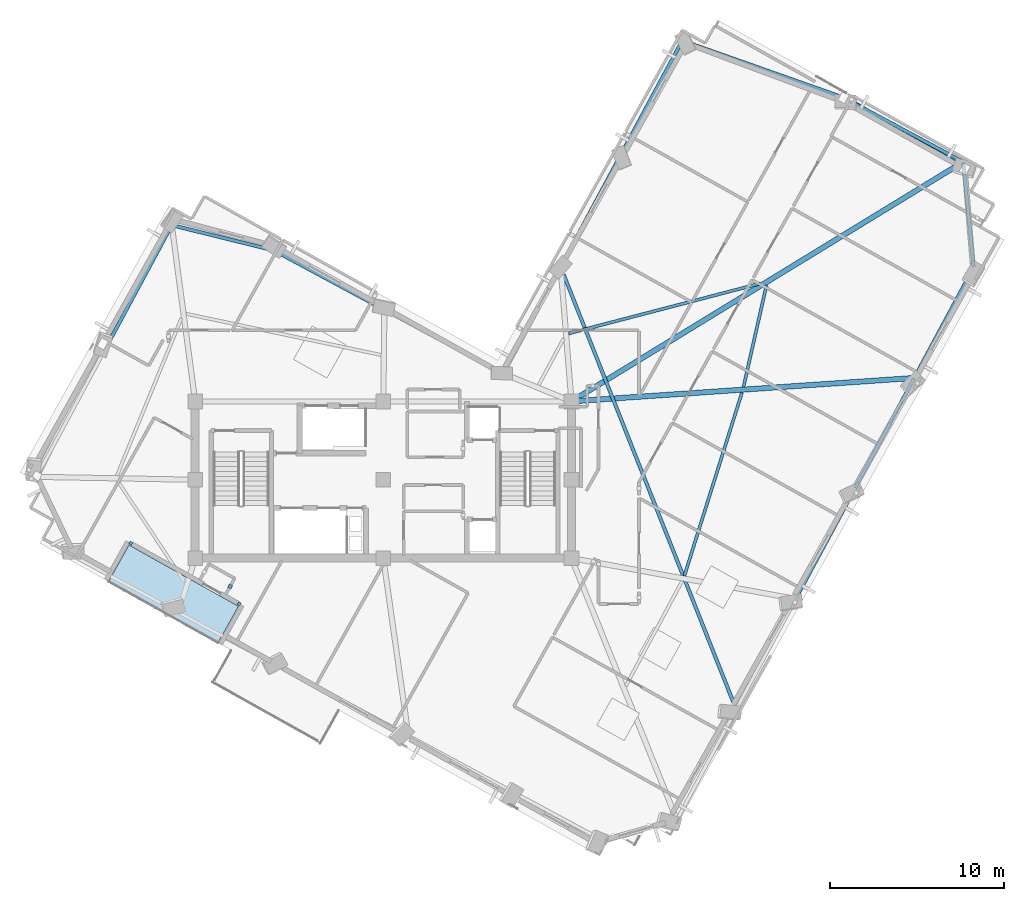
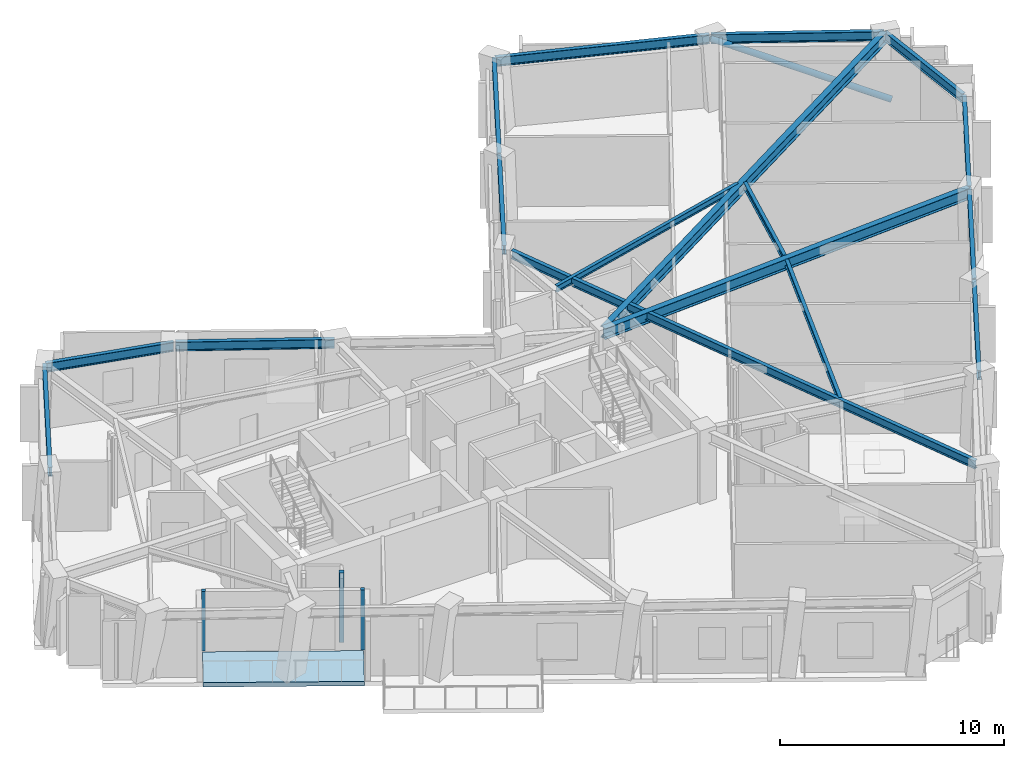
# One storey, part 2 of 11: 17 beams, 3 plates, 1 member, 1 slab.
"""IFC4 building model written with IfcOpenShell, lengths in metres."""

from ifc_helpers import new_model, si_unit, direction, frame, origin, origin_2d, place, context, subcontext, project, spatial, polyline, rectangle, hollow_circle, i_section, outline, extrude, material, layer, layer_set, material_profile, profile_set, type_object, element, save


model = new_model("IFC4")

# Units and contexts
model_context = context("Model", 3, precision=1e-05, world=origin(), true_north=direction((0.0, 1.0)))
body_context = subcontext(model_context, "Body", "Model", "MODEL_VIEW")
ifc_project = project(units=[si_unit("LENGTHUNIT", "METRE"), si_unit("AREAUNIT", "SQUARE_METRE"), si_unit("VOLUMEUNIT", "CUBIC_METRE"), si_unit("PLANEANGLEUNIT", "RADIAN"), si_unit("MASSUNIT", "GRAM", prefix="KILO")], contexts=[model_context])

# Site, building, storey
site_placement = place(None, origin())
site = spatial("IfcSite", under=ifc_project, at=site_placement, CompositionType="ELEMENT")
building_placement = place(site_placement, origin())
building = spatial("IfcBuilding", under=site, at=building_placement, Name="Gaonmaruhae Medical Tower", CompositionType="ELEMENT")
storey_placement = place(building_placement, frame((0.0, 0.0, 284.60009765625)))
storey = spatial("IfcBuildingStorey", under=building, at=storey_placement, Name="L68", CompositionType="ELEMENT", Elevation=284.60009765625)

# Beams
ifc_material_1 = material(Name="Steel SM355", Category="steel")
ifc_material_profile_1 = material_profile(ifc_material_1, i_section(OverallWidth=0.175048828125, OverallDepth=0.35009765625, WebThickness=0.007080078125, FlangeThickness=0.010986328125, FilletRadius=0.012939453125, at=origin_2d()), Name="H-350x175x7x11")
ifc_profile_set_1 = profile_set([ifc_material_profile_1], Name="Steel SM355")
beam_type_1 = type_object("IfcBeamType", Name="FJ-02 Upper Zone Ward Floor Joist (H-350x175x7x11)", PredefinedType="JOIST", material=ifc_profile_set_1)
beam_1_placement = place(storey_placement, frame((42.08056640625, 6.77978515625, 3.60498046875), z_axis=(0.29983579628, 0.953990825569, 0.0), x_axis=(-0.953990825569, 0.29983579628, 0.0)))
element("IfcBeam", 1, at=beam_1_placement, inside=storey, type_object=beam_type_1, Name="L68 Secondary Floor Joist FJ02", PredefinedType="JOIST", context=body_context, shape_type="SweptSolid", body=[
    extrude(i_section(OverallWidth=0.175048828125, OverallDepth=0.35009765625, WebThickness=0.007080078125, FlangeThickness=0.010986328125, FilletRadius=0.012939453125, at=origin_2d()), origin(), (0.0, 0.0, 1.0), 11.041259765625),
])
beam_2_placement = place(storey_placement, frame((45.47705078125, 17.630859375, 3.60498046875), z_axis=(0.220500245432, 0.975386919004, 0.0), x_axis=(-0.975386919004, 0.220500245432, 0.0)))
element("IfcBeam", 2, at=beam_2_placement, inside=storey, type_object=beam_type_1, Name="L68 Secondary Floor Joist FJ03", PredefinedType="JOIST", context=body_context, shape_type="SweptSolid", body=[
    extrude(i_section(OverallWidth=0.175048828125, OverallDepth=0.35009765625, WebThickness=0.007080078125, FlangeThickness=0.010986328125, FilletRadius=0.012939453125, at=origin_2d()), origin(), (0.0, 0.0, 1.0), 5.97900390625),
])
beam_3_placement = place(storey_placement, frame((46.455078125, 23.5712890625, 3.60498046875), z_axis=(-0.967582183196, -0.252556367495, 0.0), x_axis=(0.252556367495, -0.967582183196, 0.0)))
element("IfcBeam", 3, at=beam_3_placement, inside=storey, type_object=beam_type_1, Name="L68 Secondary Floor Joist FJ04", PredefinedType="JOIST", context=body_context, shape_type="SweptSolid", body=[
    extrude(i_section(OverallWidth=0.175048828125, OverallDepth=0.35009765625, WebThickness=0.007080078125, FlangeThickness=0.010986328125, FilletRadius=0.012939453125, at=origin_2d()), origin(), (0.0, 0.0, 1.0), 11.381591796875),
])

# Member
ifc_material_profile_2 = material_profile(ifc_material_1, hollow_circle(Radius=0.1591796875, WallThickness=0.01025390625, at=origin_2d()), Name="CHS-318.5x10.3")
ifc_profile_set_2 = profile_set([ifc_material_profile_2], Name="Steel SM355")
member_type = type_object("IfcMemberType", Name="PB-03 Perimeter Solid-Bay Tube Brace Upper (CHS-318.5x10.3)", PredefinedType="BRACE", material=ifc_profile_set_2)
member_placement = place(storey_placement, frame((58.177490234375, 30.137939453125, 0.25), z_axis=(-0.798500687655, 0.470029086408, 0.37612406164), x_axis=(-0.507278926934, -0.861781927339, 0.0)))
element("IfcMember", 4, at=member_placement, inside=storey, type_object=member_type, Name="L68 Perimeter Tube Solid-Bay Brace E01-E02", PredefinedType="BRACE", context=body_context, shape_type="SweptSolid", body=[
    extrude(hollow_circle(Radius=0.1591796875, WallThickness=0.01025390625, at=origin_2d()), origin(), (0.0, 0.0, 1.0), 8.719970703125),
])

# Beams
ifc_material_2 = material(Name="Steel SM420", Category="steel")
ifc_material_profile_3 = material_profile(ifc_material_2, i_section(OverallWidth=0.300048828125, OverallDepth=0.60009765625, WebThickness=0.011962890625, FlangeThickness=0.02001953125, FilletRadius=0.012939453125, at=origin_2d()), Name="H-600x300x12x20")
ifc_profile_set_3 = profile_set([ifc_material_profile_3], Name="Steel SM420")
beam_type_2 = type_object("IfcBeamType", Name="PG-04 Zone 4 Radial Floor Girder (H-600x300x12x20)", PredefinedType="BEAM", material=ifc_profile_set_3)
beam_4_placement = place(storey_placement, frame((35.64990234375, 16.803466796875, 3.47998046875), z_axis=(0.997675128269, 0.068149383216, 0.0), x_axis=(-0.068149383216, 0.997675128269, 0.0)))
element("IfcBeam", 5, at=beam_4_placement, inside=storey, type_object=beam_type_2, Name="L68 Radial Primary Girder S05", PredefinedType="BEAM", context=body_context, shape_type="SweptSolid", body=[
    extrude(i_section(OverallWidth=0.300048828125, OverallDepth=0.60009765625, WebThickness=0.011962890625, FlangeThickness=0.02001953125, FilletRadius=0.012939453125, at=origin_2d()), origin(), (0.0, 0.0, 1.0), 19.628173828125),
])
beam_5_placement = place(storey_placement, frame((35.642578125, 16.826171875, 3.47998046875), z_axis=(0.853222522063, 0.521547052379, 0.0), x_axis=(-0.521547052379, 0.853222522063, 0.0)))
element("IfcBeam", 6, at=beam_5_placement, inside=storey, type_object=beam_type_2, Name="L68 Radial Primary Girder E01", PredefinedType="BEAM", context=body_context, shape_type="SweptSolid", body=[
    extrude(i_section(OverallWidth=0.300048828125, OverallDepth=0.60009765625, WebThickness=0.011962890625, FlangeThickness=0.02001953125, FilletRadius=0.012939453125, at=origin_2d()), origin(), (0.0, 0.0, 1.0), 26.25390625),
])
ifc_material_profile_4 = material_profile(ifc_material_1, i_section(OverallWidth=0.199951171875, OverallDepth=0.5, WebThickness=0.010009765625, FlangeThickness=0.01611328125, FilletRadius=0.012939453125, at=origin_2d()), Name="H-500x200x10x16")
ifc_profile_set_4 = profile_set([ifc_material_profile_4], Name="Steel SM355")
beam_type_3 = type_object("IfcBeamType", Name="SP-02 Upper Perimeter Spandrel Beam (H-500x200x10x16)", PredefinedType="SPANDREL", material=ifc_profile_set_4)
beam_6_placement = place(storey_placement, frame((48.485595703125, 5.494873046875, 3.52978515625), z_axis=(0.473326720032, 0.880886948538, 0.0), x_axis=(-0.880886948538, 0.473326720032, 0.0)))
element("IfcBeam", 7, at=beam_6_placement, inside=storey, type_object=beam_type_3, Name="L68 Perimeter Spandrel Beam S03-S04", PredefinedType="SPANDREL", context=body_context, shape_type="SweptSolid", body=[
    extrude(i_section(OverallWidth=0.199951171875, OverallDepth=0.5, WebThickness=0.010009765625, FlangeThickness=0.01611328125, FilletRadius=0.012939453125, at=origin_2d()), origin(), (0.0, 0.0, 1.0), 7.1201171875),
])
beam_7_placement = place(storey_placement, frame((51.8935546875, 11.83740234375, 3.52978515625), z_axis=(0.473300112353, 0.880901245116, 0.0), x_axis=(-0.880901245116, 0.473300112353, 0.0)))
element("IfcBeam", 8, at=beam_7_placement, inside=storey, type_object=beam_type_3, Name="L68 Perimeter Spandrel Beam S04-S05", PredefinedType="SPANDREL", context=body_context, shape_type="SweptSolid", body=[
    extrude(i_section(OverallWidth=0.199951171875, OverallDepth=0.5, WebThickness=0.010009765625, FlangeThickness=0.01611328125, FilletRadius=0.012939453125, at=origin_2d()), origin(), (0.0, 0.0, 1.0), 7.119873046875),
])
beam_8_placement = place(storey_placement, frame((55.30126953125, 18.1796875, 3.52978515625), z_axis=(0.473326720032, 0.880886948538, 0.0), x_axis=(-0.880886948538, 0.473326720032, 0.0)))
element("IfcBeam", 9, at=beam_8_placement, inside=storey, type_object=beam_type_3, Name="L68 Perimeter Spandrel Beam S05-S06", PredefinedType="SPANDREL", context=body_context, shape_type="SweptSolid", body=[
    extrude(i_section(OverallWidth=0.199951171875, OverallDepth=0.5, WebThickness=0.010009765625, FlangeThickness=0.01611328125, FilletRadius=0.012939453125, at=origin_2d()), origin(), (0.0, 0.0, 1.0), 7.1201171875),
])
beam_9_placement = place(storey_placement, frame((58.686279296875, 24.52685546875, 3.52978515625), z_axis=(-0.099318634527, 0.995055681274, 0.0), x_axis=(-0.995055681274, -0.099318634527, 0.0)))
element("IfcBeam", 10, at=beam_9_placement, inside=storey, type_object=beam_type_3, Name="L68 Perimeter Spandrel Beam S06-E01", PredefinedType="SPANDREL", context=body_context, shape_type="SweptSolid", body=[
    extrude(i_section(OverallWidth=0.199951171875, OverallDepth=0.5, WebThickness=0.010009765625, FlangeThickness=0.01611328125, FilletRadius=0.012939453125, at=origin_2d()), origin(), (0.0, 0.0, 1.0), 6.0078125),
])
beam_10_placement = place(storey_placement, frame((58.05029296875, 30.563720703125, 3.52978515625), z_axis=(-0.88089115209, 0.473318896907, 0.0), x_axis=(-0.473318896907, -0.88089115209, 0.0)))
element("IfcBeam", 11, at=beam_10_placement, inside=storey, type_object=beam_type_3, Name="L68 Perimeter Spandrel Beam E01-E02", PredefinedType="SPANDREL", context=body_context, shape_type="SweptSolid", body=[
    extrude(i_section(OverallWidth=0.199951171875, OverallDepth=0.5, WebThickness=0.010009765625, FlangeThickness=0.01611328125, FilletRadius=0.012939453125, at=origin_2d()), origin(), (0.0, 0.0, 1.0), 7.719970703125),
])
beam_11_placement = place(storey_placement, frame((51.177001953125, 34.25, 3.52978515625), z_axis=(-0.942879166609, 0.33313492338, 0.0), x_axis=(-0.33313492338, -0.942879166609, 0.0)))
element("IfcBeam", 12, at=beam_11_placement, inside=storey, type_object=beam_type_3, Name="L68 Perimeter Spandrel Beam E02-E03", PredefinedType="SPANDREL", context=body_context, shape_type="SweptSolid", body=[
    extrude(i_section(OverallWidth=0.199951171875, OverallDepth=0.5, WebThickness=0.010009765625, FlangeThickness=0.01611328125, FilletRadius=0.012939453125, at=origin_2d()), origin(), (0.0, 0.0, 1.0), 9.7353515625),
])
beam_12_placement = place(storey_placement, frame((41.941162109375, 37.47119140625, 3.52978515625), z_axis=(-0.473349288946, -0.880874821217, 0.0), x_axis=(0.880874821217, -0.473349288946, 0.0)))
element("IfcBeam", 13, at=beam_12_placement, inside=storey, type_object=beam_type_3, Name="L68 Perimeter Spandrel Beam E03-EN01", PredefinedType="SPANDREL", context=body_context, shape_type="SweptSolid", body=[
    extrude(i_section(OverallWidth=0.199951171875, OverallDepth=0.5, WebThickness=0.010009765625, FlangeThickness=0.01611328125, FilletRadius=0.012939453125, at=origin_2d()), origin(), (0.0, 0.0, 1.0), 7.469970703125),
])
beam_13_placement = place(storey_placement, frame((38.367431640625, 30.820556640625, 3.52978515625), z_axis=(-0.473300112353, -0.880901245116, 0.0), x_axis=(0.880901245116, -0.473300112353, 0.0)))
element("IfcBeam", 14, at=beam_13_placement, inside=storey, type_object=beam_type_3, Name="L68 Perimeter Spandrel Beam EN01-EN02", PredefinedType="SPANDREL", context=body_context, shape_type="SweptSolid", body=[
    extrude(i_section(OverallWidth=0.199951171875, OverallDepth=0.5, WebThickness=0.010009765625, FlangeThickness=0.01611328125, FilletRadius=0.012939453125, at=origin_2d()), origin(), (0.0, 0.0, 1.0), 7.119873046875),
])
beam_14_placement = place(storey_placement, frame((24.826904296875, 22.078369140625, 3.52978515625), z_axis=(-0.880886948538, 0.473326720032, 0.0), x_axis=(-0.473326720032, -0.880886948538, 0.0)))
element("IfcBeam", 15, at=beam_14_placement, inside=storey, type_object=beam_type_3, Name="L68 Perimeter Spandrel Beam NE01-NE02", PredefinedType="SPANDREL", context=body_context, shape_type="SweptSolid", body=[
    extrude(i_section(OverallWidth=0.199951171875, OverallDepth=0.5, WebThickness=0.010009765625, FlangeThickness=0.01611328125, FilletRadius=0.012939453125, at=origin_2d()), origin(), (0.0, 0.0, 1.0), 7.1201171875),
])
beam_15_placement = place(storey_placement, frame((18.480712890625, 25.476806640625, 3.52978515625), z_axis=(-0.970844502896, 0.239710139952, 0.0), x_axis=(-0.239710139952, -0.970844502896, 0.0)))
element("IfcBeam", 16, at=beam_15_placement, inside=storey, type_object=beam_type_3, Name="L68 Perimeter Spandrel Beam NE02-N01", PredefinedType="SPANDREL", context=body_context, shape_type="SweptSolid", body=[
    extrude(i_section(OverallWidth=0.199951171875, OverallDepth=0.5, WebThickness=0.010009765625, FlangeThickness=0.01611328125, FilletRadius=0.012939453125, at=origin_2d()), origin(), (0.0, 0.0, 1.0), 5.959228515625),
])
beam_16_placement = place(storey_placement, frame((12.637451171875, 26.879638671875, 3.52978515625), z_axis=(-0.473310725428, -0.880895542726, 0.0), x_axis=(0.880895542726, -0.473310725428, 0.0)))
element("IfcBeam", 17, at=beam_16_placement, inside=storey, type_object=beam_type_3, Name="L68 Perimeter Spandrel Beam N01-N02", PredefinedType="SPANDREL", context=body_context, shape_type="SweptSolid", body=[
    extrude(i_section(OverallWidth=0.199951171875, OverallDepth=0.5, WebThickness=0.010009765625, FlangeThickness=0.01611328125, FilletRadius=0.012939453125, at=origin_2d()), origin(), (0.0, 0.0, 1.0), 8.119873046875),
])
ifc_material_profile_5 = material_profile(ifc_material_1, i_section(OverallWidth=0.199951171875, OverallDepth=0.449951171875, WebThickness=0.009033203125, FlangeThickness=0.013916015625, FilletRadius=0.012939453125, at=origin_2d()), Name="H-450x200x9x14")
ifc_profile_set_5 = profile_set([ifc_material_profile_5], Name="Steel SM355")
beam_type_4 = type_object("IfcBeamType", Name="SP-03 Ribbon Edge Spandrel Beam (H-450x200x9x14)", PredefinedType="SPANDREL", material=ifc_profile_set_5)
beam_17_placement = place(storey_placement, frame((44.892822265625, -0.46435546875, 3.554931640625), z_axis=(-0.368924963984, 0.929459181971, 0.0), x_axis=(-0.929459181971, -0.368924963984, 0.0)))
element("IfcBeam", 18, at=beam_17_placement, inside=storey, type_object=beam_type_4, Name="L68 Ribbon Transverse Spandrel 1", PredefinedType="SPANDREL", context=body_context, shape_type="SweptSolid", body=[
    extrude(i_section(OverallWidth=0.199951171875, OverallDepth=0.449951171875, WebThickness=0.009033203125, FlangeThickness=0.013916015625, FilletRadius=0.012939453125, at=origin_2d()), origin(), (0.0, 0.0, 1.0), 26.423583984375),
])

# Plates
ifc_material_3 = material(Name="Anodised aluminium 6063-T6", Category="aluminium")
ifc_layer_1 = layer(ifc_material_3, 0.011962890625)
ifc_layer_set_1 = layer_set([ifc_layer_1], Name="Anodised aluminium 6063-T6")
plate_type = type_object("IfcPlateType", Name="PP-01 Interior Partition Corner Stiffener Plate", PredefinedType="SHEET", material=ifc_layer_set_1)
for number, where, z_axis, x_axis, name in (
    (19, (16.517578125, 5.1806640625, 0.0), (0.0, 0.0, 1.0), (-0.87292207727, 0.487859659139, 0.0), "L68 Partition End Jamb Post Plate PLT-L68-ENDP-TERB-0"),
    (20, (10.302490234375, 8.654052734375, 0.0), (0.0, 0.0, 1.0), (-0.87292207727, 0.487859659139, 0.0), "L68 Partition End Jamb Post Plate PLT-L68-ENDP-TERB-1"),
):
    element("IfcPlate", number, at=place(storey_placement, frame(where, z_axis=z_axis, x_axis=x_axis)), inside=storey, type_object=plate_type, Name=name, PredefinedType="SHEET", context=body_context, shape_type="SweptSolid", body=[
        extrude(rectangle(XDim=0.179931640625, YDim=0.179931640625, at=origin_2d()), origin(), (0.0, 0.0, 1.0), 3.264892578125),
    ])
plate_placement = place(storey_placement, frame((16.009033203125, 6.178466796875, 0.0), z_axis=(0.0, 0.0, 1.0), x_axis=(0.487326330395, 0.87321993089, 0.0)))
element("IfcPlate", 21, at=plate_placement, inside=storey, type_object=plate_type, Name="L68 Partition Corner Stiffener Plate PLT-L68-JGP-PW047", PredefinedType="SHEET", context=body_context, shape_type="SweptSolid", body=[
    extrude(rectangle(XDim=0.219970703125, YDim=0.219970703125, at=origin_2d()), origin(), (0.0, 0.0, 1.0), 3.780029296875),
])

# Slab
ifc_material_4 = material(Name="Concrete C40/50", Category="concrete")
ifc_layer_2 = layer(ifc_material_4, 0.239990234375)
ifc_layer_set_2 = layer_set([ifc_layer_2], Name="Concrete C40/50")
slab_type = type_object("IfcSlabType", Name="TS-240 Sky Garden & Recovery Terrace Slab", PredefinedType="FLOOR", material=ifc_layer_set_2)
slab_placement = place(storey_placement, frame((0.0, 0.0, -0.239990234375)))
element("IfcSlab", 22, at=slab_placement, inside=storey, type_object=slab_type, Name="L68 Outdoor Recovery Terrace Slab", PredefinedType="FLOOR", context=body_context, shape_type="SweptSolid", body=[
    extrude(outline(polyline([(15.3134765625, 2.94384765625), (16.484375, 5.038818359375), (10.19921875, 8.551513671875), (9.0283203125, 6.45654296875), (15.3134765625, 2.94384765625)])), origin(), (0.0, 0.0, 1.0), 0.239990234375),
])

save(model, "model.ifc")
